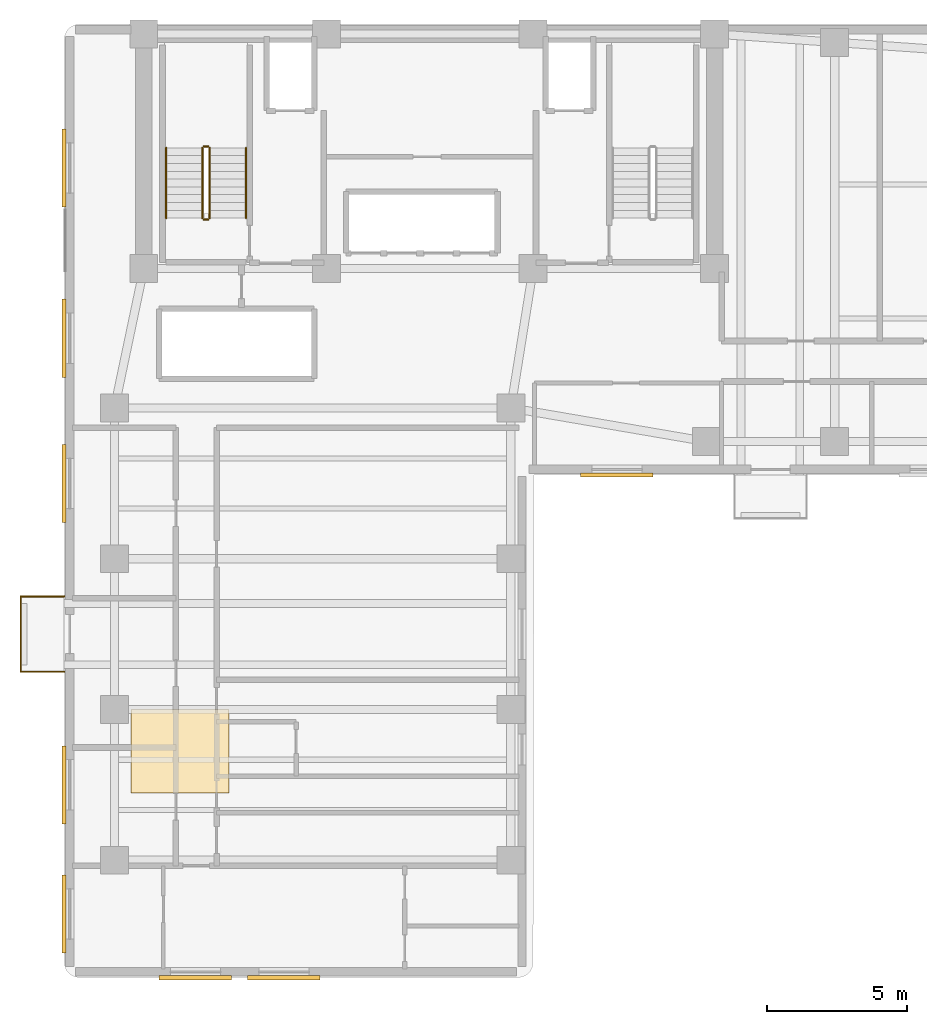
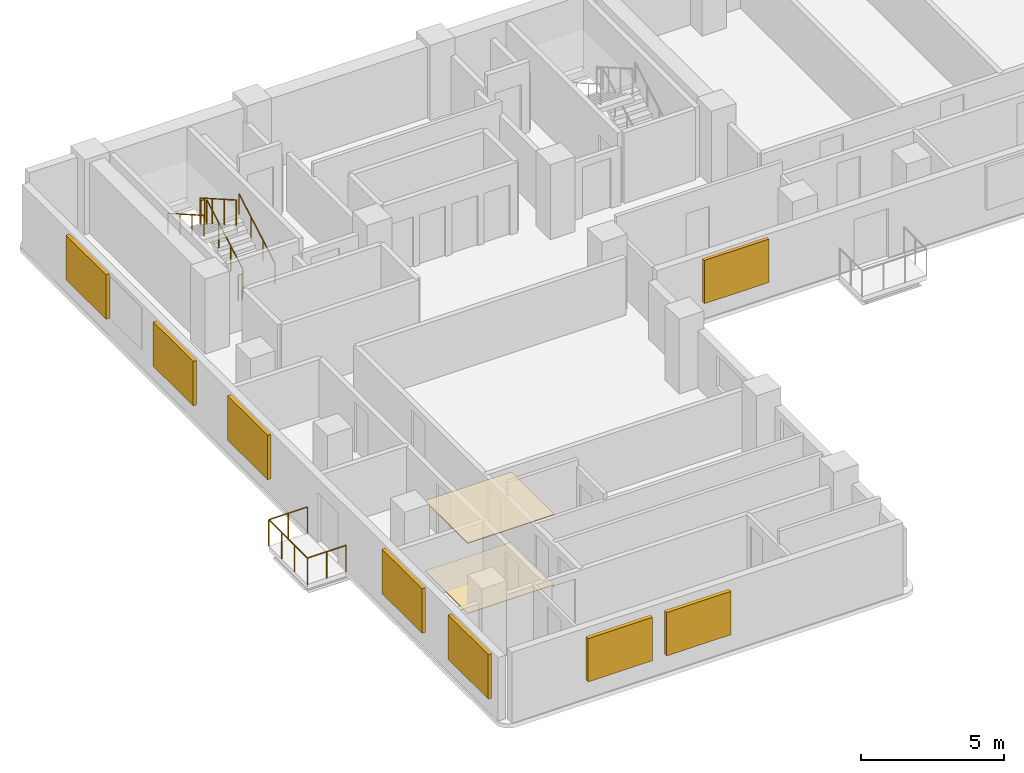
# One storey, part 6 of 7: 9 railings, 8 shading devices, 2 coverings.
"""IFC4 building model written with IfcOpenShell, lengths in metres."""

from ifc_helpers import new_model, si_unit, direction, frame, origin, origin_2d, place, context, subcontext, project, spatial, polyline, rectangle, circle, outline, extrude, material, layer, layer_set, type_object, element, save


model = new_model("IFC4")

# Units and contexts
model_context = context("Model", 3, precision=1e-05, world=origin(), true_north=direction((0.0, 1.0)))
body_context = subcontext(model_context, "Body", "Model", "MODEL_VIEW")
ifc_project = project(units=[si_unit("LENGTHUNIT", "METRE"), si_unit("AREAUNIT", "SQUARE_METRE"), si_unit("VOLUMEUNIT", "CUBIC_METRE"), si_unit("PLANEANGLEUNIT", "RADIAN"), si_unit("MASSUNIT", "GRAM", prefix="KILO")], contexts=[model_context])

# Site, building, storey
site_placement = place(None, origin())
site = spatial("IfcSite", under=ifc_project, at=site_placement, CompositionType="ELEMENT")
building_placement = place(site_placement, origin())
building = spatial("IfcBuilding", under=site, at=building_placement, Name="Kuzgunbayir Cultural Tower", CompositionType="ELEMENT")
storey_placement = place(building_placement, frame((0.0, 0.0, 126.60009765625)))
storey = spatial("IfcBuildingStorey", under=building, at=storey_placement, Name="L36", CompositionType="ELEMENT", Elevation=126.60009765625)

# Coverings
ifc_material_1 = material(Name="Perforated Gypsum Acoustic Tile", Category="gypsum")
ifc_layer_1 = layer(ifc_material_1, 0.02490234375)
ifc_layer_set_1 = layer_set([ifc_layer_1], Name="Perforated Gypsum Acoustic Tile")
covering_type_1 = type_object("IfcCoveringType", Name="COV-CEIL-ACOUSTIC", PredefinedType="CEILING", material=ifc_layer_set_1)
covering_1_placement = place(storey_placement, frame((0.0, 0.0, 2.989990234375)))
element("IfcCovering", 1, at=covering_1_placement, inside=storey, type_object=covering_type_1, Name="L36 Acoustic Soffit Ceiling", PredefinedType="CEILING", context=body_context, shape_type="SweptSolid", body=[
    extrude(outline(polyline([(6.0, 15.0), (9.5, 15.0), (9.5, 18.0), (6.0, 18.0), (6.0, 15.0)])), origin(), (0.0, 0.0, 1.0), 0.030029296875),
])
ifc_material_2 = material(Name="Engineered Anatolian Oak Parquet", Category="wood")
ifc_layer_2 = layer(ifc_material_2, 0.02197265625)
ifc_layer_set_2 = layer_set([ifc_layer_2], Name="Engineered Anatolian Oak Parquet")
covering_type_2 = type_object("IfcCoveringType", Name="COV-FLOOR-OAK", PredefinedType="FLOORING", material=ifc_layer_set_2)
covering_2_placement = place(storey_placement, origin())
element("IfcCovering", 2, at=covering_2_placement, inside=storey, type_object=covering_type_2, Name="L36 Acoustic Floor Finish", PredefinedType="FLOORING", context=body_context, shape_type="SweptSolid", body=[
    extrude(outline(polyline([(6.0, 15.0), (9.5, 15.0), (9.5, 18.0), (6.0, 18.0), (6.0, 15.0)])), origin(), (0.0, 0.0, 1.0), 0.02001953125),
])

# Railings
ifc_material_3 = material(Name="Laminated Glass and Stainless Steel", Category="steel")
ifc_layer_3 = layer(ifc_material_3, 0.080078125)
ifc_layer_set_3 = layer_set([ifc_layer_3], Name="Laminated Glass and Stainless Steel")
railing_type_1 = type_object("IfcRailingType", Name="RLG-BAL-115", PredefinedType="BALUSTRADE", material=ifc_layer_set_3)
railing_1_placement = place(storey_placement, frame((3.60009765625, 19.35009765625, 0.0)))
element("IfcRailing", 3, at=railing_1_placement, inside=storey, type_object=railing_type_1, Name="L36 Balcony Guard BAL-L36-WA2 Segment 1", PredefinedType="BALUSTRADE", context=body_context, shape_type="SweptSolid", body=[
    extrude(circle(Radius=0.02392578125, at=origin_2d()), frame((0.0, 0.0, 1.1259765625), z_axis=(-1.0, 0.0, 0.0), x_axis=(0.0, -1.0, 0.0)), (0.0, 0.0, 1.0), 1.56005859375),
    extrude(circle(Radius=0.02099609375, at=origin_2d()), origin(), (0.0, 0.0, 1.0), 1.101806640625),
    extrude(circle(Radius=0.02099609375, at=origin_2d()), frame((-0.780029296875, 0.0, 0.0)), (0.0, 0.0, 1.0), 1.101806640625),
    extrude(circle(Radius=0.02099609375, at=origin_2d()), frame((-1.56005859375, 0.0, 0.0)), (0.0, 0.0, 1.0), 1.101806640625),
])
railing_2_placement = place(storey_placement, frame((2.0400390625, 19.35009765625, 0.0)))
element("IfcRailing", 4, at=railing_2_placement, inside=storey, type_object=railing_type_1, Name="L36 Balcony Guard BAL-L36-WA2 Segment 2", PredefinedType="BALUSTRADE", context=body_context, shape_type="SweptSolid", body=[
    extrude(circle(Radius=0.02392578125, at=origin_2d()), frame((0.0, 0.0, 1.1259765625), z_axis=(0.0, 1.0, 0.0), x_axis=(-1.0, 0.0, 0.0)), (0.0, 0.0, 1.0), 2.699951171875),
    extrude(circle(Radius=0.02099609375, at=origin_2d()), origin(), (0.0, 0.0, 1.0), 1.101806640625),
    extrude(circle(Radius=0.02099609375, at=origin_2d()), frame((0.0, 0.89990234375, 0.0)), (0.0, 0.0, 1.0), 1.101806640625),
    extrude(circle(Radius=0.02099609375, at=origin_2d()), frame((0.0, 1.800048828125, 0.0)), (0.0, 0.0, 1.0), 1.101806640625),
    extrude(circle(Radius=0.02099609375, at=origin_2d()), frame((0.0, 2.699951171875, 0.0)), (0.0, 0.0, 1.0), 1.101806640625),
])
railing_3_placement = place(storey_placement, frame((2.0400390625, 22.050048828125, 0.0)))
element("IfcRailing", 5, at=railing_3_placement, inside=storey, type_object=railing_type_1, Name="L36 Balcony Guard BAL-L36-WA2 Segment 3", PredefinedType="BALUSTRADE", context=body_context, shape_type="SweptSolid", body=[
    extrude(circle(Radius=0.02392578125, at=origin_2d()), frame((0.0, 0.0, 1.1259765625), z_axis=(1.0, 0.0, 0.0), x_axis=(0.0, 1.0, 0.0)), (0.0, 0.0, 1.0), 1.56005859375),
    extrude(circle(Radius=0.02099609375, at=origin_2d()), origin(), (0.0, 0.0, 1.0), 1.101806640625),
    extrude(circle(Radius=0.02099609375, at=origin_2d()), frame((0.780029296875, 0.0, 0.0)), (0.0, 0.0, 1.0), 1.101806640625),
    extrude(circle(Radius=0.02099609375, at=origin_2d()), frame((1.56005859375, 0.0, 0.0)), (0.0, 0.0, 1.0), 1.101806640625),
])
ifc_material_4 = material(Name="Brushed Stainless Steel", Category="steel")
ifc_layer_4 = layer(ifc_material_4, 0.050048828125)
ifc_layer_set_4 = layer_set([ifc_layer_4], Name="Brushed Stainless Steel")
railing_type_2 = type_object("IfcRailingType", Name="RLG-STAIR-HANDRAIL", PredefinedType="HANDRAIL", material=ifc_layer_set_4)
railing_4_placement = place(storey_placement, frame((10.110107421875, 35.60009765625, 0.159912109375)))
element("IfcRailing", 6, at=railing_4_placement, inside=storey, type_object=railing_type_2, Name="L36 ST-1 stair handrail 1", PredefinedType="HANDRAIL", context=body_context, shape_type="SweptSolid", body=[
    extrude(circle(Radius=0.02392578125, at=origin_2d()), frame((0.0, 0.0, 0.8759765625), z_axis=(0.0, 0.868253494771, 0.496120820787), x_axis=(-1.0, 0.0, 0.0)), (0.0, 0.0, 1.0), 2.90234375),
    extrude(circle(Radius=0.02099609375, at=origin_2d()), origin(), (0.0, 0.0, 1.0), 0.851806640625),
    extrude(circle(Radius=0.02099609375, at=origin_2d()), frame((0.0, 0.840087890625, 0.47998046875)), (0.0, 0.0, 1.0), 0.851806640625),
    extrude(circle(Radius=0.02099609375, at=origin_2d()), frame((0.0, 1.679931640625, 0.9599609375)), (0.0, 0.0, 1.0), 0.851806640625),
    extrude(circle(Radius=0.02099609375, at=origin_2d()), frame((0.0, 2.52001953125, 1.43994140625)), (0.0, 0.0, 1.0), 0.851806640625),
])
railing_5_placement = place(storey_placement, frame((7.25, 38.1201171875, 1.760009765625)))
element("IfcRailing", 7, at=railing_5_placement, inside=storey, type_object=railing_type_2, Name="L36 ST-1 stair handrail 2", PredefinedType="HANDRAIL", context=body_context, shape_type="SweptSolid", body=[
    extrude(circle(Radius=0.02392578125, at=origin_2d()), frame((0.0, 0.0, 0.8759765625), z_axis=(0.0, -0.868253494771, 0.496120820787), x_axis=(1.0, 0.0, 0.0)), (0.0, 0.0, 1.0), 2.90234375),
    extrude(circle(Radius=0.02099609375, at=origin_2d()), origin(), (0.0, 0.0, 1.0), 0.851806640625),
    extrude(circle(Radius=0.02099609375, at=origin_2d()), frame((0.0, -0.840087890625, 0.47998046875)), (0.0, 0.0, 1.0), 0.851806640625),
    extrude(circle(Radius=0.02099609375, at=origin_2d()), frame((0.0, -1.679931640625, 0.9599609375)), (0.0, 0.0, 1.0), 0.851806640625),
    extrude(circle(Radius=0.02099609375, at=origin_2d()), frame((0.0, -2.52001953125, 1.43994140625)), (0.0, 0.0, 1.0), 0.851806640625),
])
ifc_material_5 = material(Name="Painted Steel Balustrade", Category="steel")
ifc_layer_5 = layer(ifc_material_5, 0.06005859375)
ifc_layer_set_5 = layer_set([ifc_layer_5], Name="Painted Steel Balustrade")
railing_type_3 = type_object("IfcRailingType", Name="RLG-WELL-GUARD", PredefinedType="GUARDRAIL", material=ifc_layer_set_5)
railing_6_placement = place(storey_placement, frame((8.81005859375, 35.60009765625, 0.159912109375)))
element("IfcRailing", 8, at=railing_6_placement, inside=storey, type_object=railing_type_3, Name="L36 ST-1 stair guard 1", PredefinedType="GUARDRAIL", context=body_context, shape_type="SweptSolid", body=[
    extrude(circle(Radius=0.02392578125, at=origin_2d()), frame((0.0, 0.0, 1.076171875), z_axis=(0.0, 0.868253494771, 0.496120820787), x_axis=(-1.0, 0.0, 0.0)), (0.0, 0.0, 1.0), 2.90234375),
    extrude(circle(Radius=0.02099609375, at=origin_2d()), origin(), (0.0, 0.0, 1.0), 1.052001953125),
    extrude(circle(Radius=0.02099609375, at=origin_2d()), frame((0.0, 0.840087890625, 0.47998046875)), (0.0, 0.0, 1.0), 1.052001953125),
    extrude(circle(Radius=0.02099609375, at=origin_2d()), frame((0.0, 1.679931640625, 0.9599609375)), (0.0, 0.0, 1.0), 1.052001953125),
    extrude(circle(Radius=0.02099609375, at=origin_2d()), frame((0.0, 2.52001953125, 1.43994140625)), (0.0, 0.0, 1.0), 1.052001953125),
])
railing_7_placement = place(storey_placement, frame((8.760009765625, 38.169921875, 1.599853515625)))
element("IfcRailing", 9, at=railing_7_placement, inside=storey, type_object=railing_type_3, Name="L36 ST-1 stair guard 2", PredefinedType="GUARDRAIL", context=body_context, shape_type="SweptSolid", body=[
    extrude(circle(Radius=0.02392578125, at=origin_2d()), frame((0.0, 0.0, 1.076171875), z_axis=(-1.0, 0.0, 0.0), x_axis=(0.0, -1.0, 0.0)), (0.0, 0.0, 1.0), 0.159912109375),
    extrude(circle(Radius=0.02099609375, at=origin_2d()), origin(), (0.0, 0.0, 1.0), 1.052001953125),
    extrude(circle(Radius=0.02099609375, at=origin_2d()), frame((-0.159912109375, 0.0, 0.0)), (0.0, 0.0, 1.0), 1.052001953125),
])
railing_8_placement = place(storey_placement, frame((8.550048828125, 38.1201171875, 1.760009765625)))
element("IfcRailing", 10, at=railing_8_placement, inside=storey, type_object=railing_type_3, Name="L36 ST-1 stair guard 3", PredefinedType="GUARDRAIL", context=body_context, shape_type="SweptSolid", body=[
    extrude(circle(Radius=0.02392578125, at=origin_2d()), frame((0.0, 0.0, 1.076171875), z_axis=(0.0, -0.868253494771, 0.496120820787), x_axis=(1.0, 0.0, 0.0)), (0.0, 0.0, 1.0), 2.90234375),
    extrude(circle(Radius=0.02099609375, at=origin_2d()), origin(), (0.0, 0.0, 1.0), 1.052001953125),
    extrude(circle(Radius=0.02099609375, at=origin_2d()), frame((0.0, -0.840087890625, 0.47998046875)), (0.0, 0.0, 1.0), 1.052001953125),
    extrude(circle(Radius=0.02099609375, at=origin_2d()), frame((0.0, -1.679931640625, 0.9599609375)), (0.0, 0.0, 1.0), 1.052001953125),
    extrude(circle(Radius=0.02099609375, at=origin_2d()), frame((0.0, -2.52001953125, 1.43994140625)), (0.0, 0.0, 1.0), 1.052001953125),
])
railing_9_placement = place(storey_placement, frame((8.760009765625, 35.550048828125, 0.0)))
element("IfcRailing", 11, at=railing_9_placement, inside=storey, type_object=railing_type_3, Name="L36 ST-1 stair guard 4", PredefinedType="GUARDRAIL", context=body_context, shape_type="SweptSolid", body=[
    extrude(circle(Radius=0.02392578125, at=origin_2d()), frame((0.0, 0.0, 1.076171875), z_axis=(-1.0, 0.0, 0.0), x_axis=(0.0, -1.0, 0.0)), (0.0, 0.0, 1.0), 0.159912109375),
    extrude(circle(Radius=0.02099609375, at=origin_2d()), origin(), (0.0, 0.0, 1.0), 1.052001953125),
    extrude(circle(Radius=0.02099609375, at=origin_2d()), frame((-0.159912109375, 0.0, 0.0)), (0.0, 0.0, 1.0), 1.052001953125),
])

# Shading devices
ifc_material_6 = material(Name="Perforated Bronze-Anodised Aluminium", Category="aluminium")
shading_device_type_1 = type_object("IfcShadingDeviceType", Name="SHD-SOLAR-BRONZE", PredefinedType="JALOUSIE", material=ifc_material_6)
for number, where, z_axis, x_axis, name in (
    (12, (3.590087890625, 10.669921875, 0.699951171875), (0.0, 0.0, 1.0), (1.0, 0.0, 0.0), "L36 Perforated Bronze Solar Screen WAW1"),
    (13, (3.590087890625, 15.300048828125, 0.699951171875), (0.0, 0.0, 1.0), (1.0, 0.0, 0.0), "L36 Perforated Bronze Solar Screen WAW6"),
    (14, (3.590087890625, 26.10009765625, 0.699951171875), (0.0, 0.0, 1.0), (1.0, 0.0, 0.0), "L36 Perforated Bronze Solar Screen WAW7"),
    (15, (3.590087890625, 31.300048828125, 0.699951171875), (0.0, 0.0, 1.0), (1.0, 0.0, 0.0), "L36 Perforated Bronze Solar Screen WAW8"),
    (16, (3.590087890625, 37.39990234375, 0.699951171875), (0.0, 0.0, 1.0), (1.0, 0.0, 0.0), "L36 Perforated Bronze Solar Screen WAW9"),
):
    element("IfcShadingDevice", number, at=place(storey_placement, frame(where, z_axis=z_axis, x_axis=x_axis)), inside=storey, type_object=shading_device_type_1, Name=name, PredefinedType="JALOUSIE", context=body_context, shape_type="SweptSolid", body=[
        extrude(rectangle(XDim=0.139892578125, YDim=2.800048828125, at=origin_2d()), origin(), (0.0, 0.0, 1.0), 1.89990234375),
    ])
shading_device_placement = place(storey_placement, frame((23.39990234375, 26.39990234375, 0.724853515625), z_axis=(0.0, 0.0, 1.0), x_axis=(1.0, 0.0, 0.0)))
element("IfcShadingDevice", 17, at=shading_device_placement, inside=storey, type_object=shading_device_type_1, Name="L36 Solar Screen WBS12", PredefinedType="JALOUSIE", context=body_context, shape_type="SweptSolid", body=[
    extrude(rectangle(XDim=2.60009765625, YDim=0.139892578125, at=origin_2d()), origin(), (0.0, 0.0, 1.0), 1.85009765625),
])
ifc_material_7 = material(Name="Warm Terracotta Ceramic Baguette", Category="masonry")
shading_device_type_2 = type_object("IfcShadingDeviceType", Name="SHD-SOLAR-CERAMIC", PredefinedType="SHUTTER", material=ifc_material_7)
for number, where, z_axis, x_axis, name in (
    (18, (11.469970703125, 8.389892578125, 0.794921875), (0.0, 0.0, 1.0), (1.0, 0.0, 0.0), "L36 Solar Screen WAS2"),
    (19, (8.300048828125, 8.389892578125, 0.794921875), (0.0, 0.0, 1.0), (1.0, 0.0, 0.0), "L36 Solar Screen WAS11"),
):
    element("IfcShadingDevice", number, at=place(storey_placement, frame(where, z_axis=z_axis, x_axis=x_axis)), inside=storey, type_object=shading_device_type_2, Name=name, PredefinedType="SHUTTER", context=body_context, shape_type="SweptSolid", body=[
        extrude(rectangle(XDim=2.60009765625, YDim=0.159912109375, at=origin_2d()), origin(), (0.0, 0.0, 1.0), 1.85009765625),
    ])

save(model, "model.ifc")
